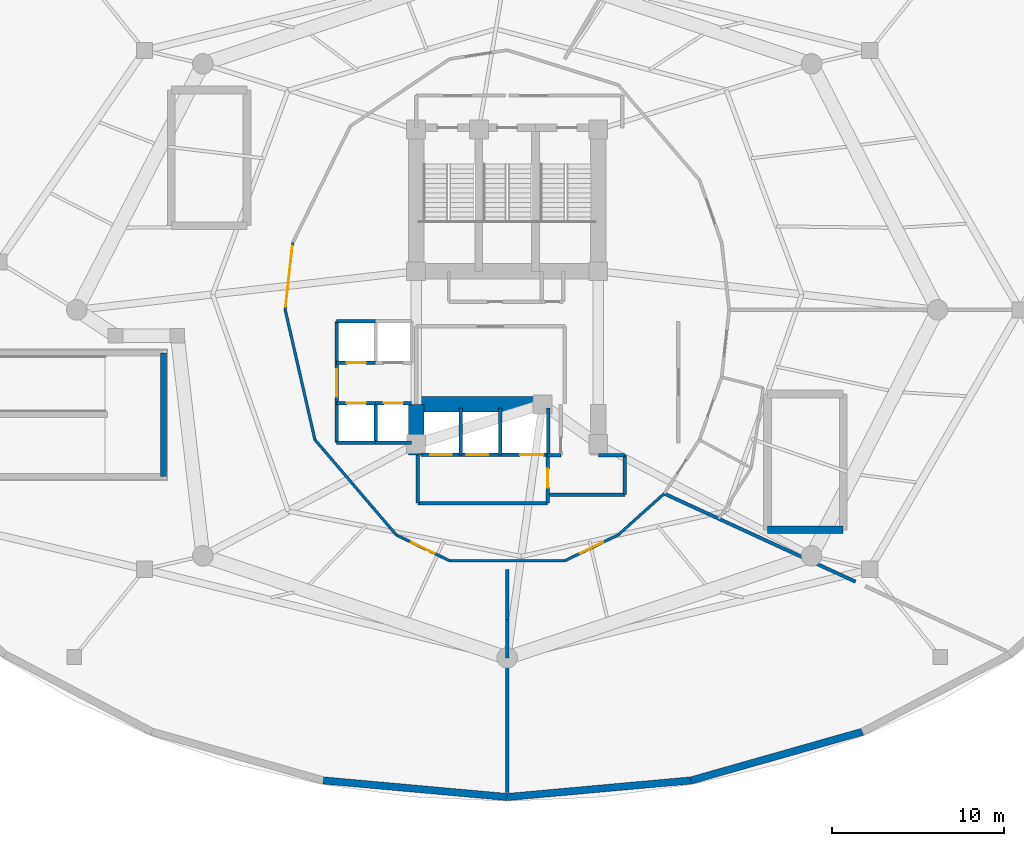
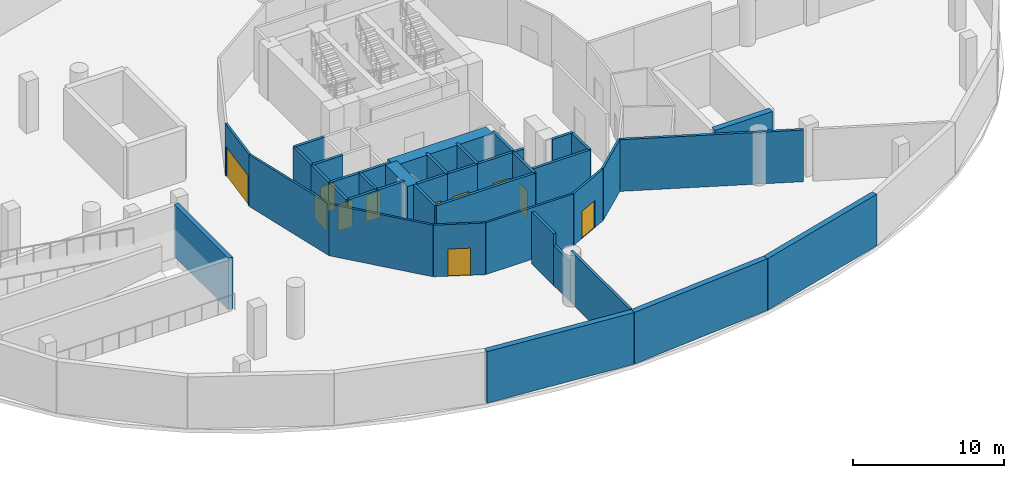
# One storey, part 3 of 8: 41 walls, 11 doors, 11 openings.
"""IFC4 building model written with IfcOpenShell, lengths in metres."""

import ifcopenshell
import ifcopenshell.guid

model = None  # the IFC model being written
_history = None  # IfcOwnerHistory: only IFC2X3 demands one
_inside = {}  # id of a spatial element -> (the spatial element, [elements in it])
_under = {}  # id of a project, library or spatial element -> (it, [spatial elements below it])
_declared = {}  # id of a project -> (the project, [libraries it declares])
_typed = {}  # id of a type object -> (the type object, [elements of that type])
_made_of = {}  # id of a material, layer set ... -> (it, [elements and type objects made of it])


def new_model(schema):
    """Start an empty IFC model of exactly this schema.

    Asked for "IFC4X3", IfcOpenShell would pick the latest addendum, in which some entities
    have other attributes; the version numbers below select the first issue.
    IFC2X3 requires an IfcOwnerHistory on every rooted entity: one is made here for all.
    """
    global model, _history
    if schema == "IFC4X3":
        model = ifcopenshell.file(schema_version=(4, 3, 0, 0))
    else:
        model = ifcopenshell.file(schema=schema)
    _inside.clear()
    _under.clear()
    _declared.clear()
    _typed.clear()
    _made_of.clear()
    _history = None
    if model.schema == "IFC2X3":
        org = make("IfcOrganization", Name="unknown")
        user = make(
            "IfcPersonAndOrganization",
            ThePerson=make("IfcPerson", FamilyName="unknown"),
            TheOrganization=org,
        )
        app = make(
            "IfcApplication",
            ApplicationDeveloper=org,
            Version="unknown",
            ApplicationFullName="unknown",
            ApplicationIdentifier="unknown",
        )
        _history = make(
            "IfcOwnerHistory",
            OwningUser=user,
            OwningApplication=app,
            ChangeAction="ADDED",
            CreationDate=0,
        )
    return model


def make(cls, **values):
    """One entity of the class cls with the attributes given. An attribute that is None is left unset."""
    return model.create_entity(
        cls, **{name: value for name, value in values.items() if value is not None}
    )


def rooted(cls, **values):
    """An entity with a GlobalId (a new one), such as an element, a storey or a relation."""
    return make(cls, GlobalId=ifcopenshell.guid.new(), OwnerHistory=_history, **values)


def si_unit(unit_type, name, prefix=None):
    """IfcSIUnit, for example si_unit("LENGTHUNIT", "METRE", prefix="MILLI")."""
    return make("IfcSIUnit", UnitType=unit_type, Prefix=prefix, Name=name)


def assignment(units):
    """IfcUnitAssignment: the units of a project."""
    return None if units is None else make("IfcUnitAssignment", Units=units)


def point(xyz):
    """IfcCartesianPoint."""
    return None if xyz is None else make("IfcCartesianPoint", Coordinates=xyz)


def direction(xyz):
    """IfcDirection."""
    return None if xyz is None else make("IfcDirection", DirectionRatios=xyz)


def frame(location, z_axis=None, x_axis=None):
    """IfcAxis2Placement3D, a coordinate frame: its origin and axes. An axis left out is left unset."""
    return make(
        "IfcAxis2Placement3D",
        Location=point(location),
        Axis=direction(z_axis),
        RefDirection=direction(x_axis),
    )


def frame_2d(location, x_axis=None):
    """IfcAxis2Placement2D, a coordinate frame in the plane: its origin and x axis."""
    return make(
        "IfcAxis2Placement2D", Location=point(location), RefDirection=direction(x_axis)
    )


def origin():
    """The frame at (0, 0, 0) with its axes left unset."""
    return frame((0.0, 0.0, 0.0))


def place(relative_to, where):
    """IfcLocalPlacement: puts the frame where relative to a parent placement (None: the world)."""
    return make(
        "IfcLocalPlacement", PlacementRelTo=relative_to, RelativePlacement=where
    )


def context(
    kind, dimensions, precision=None, world=None, true_north=None, identifier=None
):
    """IfcGeometricRepresentationContext, for example the 3D "Model" context."""
    return make(
        "IfcGeometricRepresentationContext",
        ContextIdentifier=identifier,
        ContextType=kind,
        CoordinateSpaceDimension=dimensions,
        Precision=precision,
        WorldCoordinateSystem=world,
        TrueNorth=true_north,
    )


def subcontext(parent, identifier, kind, view, scale=None):
    """IfcGeometricRepresentationSubContext, for example "Body" below "Model"."""
    return make(
        "IfcGeometricRepresentationSubContext",
        ContextIdentifier=identifier,
        ContextType=kind,
        ParentContext=parent,
        TargetScale=scale,
        TargetView=view,
    )


def project(units=None, contexts=None):
    """IfcProject with its units and contexts."""
    return rooted(
        "IfcProject",
        Name="project",
        RepresentationContexts=contexts,
        UnitsInContext=assignment(units),
    )


def spatial(cls, under=None, at=None, **own):
    """A site, building, storey or space (cls), placed at a placement, below another one or the project."""
    s = rooted(cls, ObjectPlacement=at, **own)
    if under is not None:
        _under.setdefault(under.id(), (under, []))[1].append(s)
    return s


def profile(cls, at=None, kind="AREA", **sizes):
    """A parametric profile (cls). Its sizes go by their IFC names, for example OverallWidth=200.0."""
    return make(cls, ProfileType=kind, Position=at, **sizes)


def rectangle(**sizes):
    """IfcRectangleProfileDef."""
    return profile("IfcRectangleProfileDef", **sizes)


def extrude(swept, where, along, depth):
    """IfcExtrudedAreaSolid: the profile swept, set in the frame where, extruded along a direction by depth."""
    return make(
        "IfcExtrudedAreaSolid",
        SweptArea=swept,
        Position=where,
        ExtrudedDirection=direction(along),
        Depth=depth,
    )


def shape(context_of_items, identifier, shape_type, items):
    """IfcShapeRepresentation: the items that make up one representation, for example the "Body"."""
    return make(
        "IfcShapeRepresentation",
        ContextOfItems=context_of_items,
        RepresentationIdentifier=identifier,
        RepresentationType=shape_type,
        Items=items,
    )


def material(Name=None, Category=None):
    """IfcMaterial."""
    return make("IfcMaterial", Name=Name, Category=Category)


def layer(
    of_material, thickness, ventilated=None, Name=None, Category=None, Priority=None
):
    """IfcMaterialLayer: one layer of a wall or slab, of a material (None: an air gap)."""
    return make(
        "IfcMaterialLayer",
        Material=of_material,
        LayerThickness=thickness,
        IsVentilated=ventilated,
        Name=Name,
        Category=Category,
        Priority=Priority,
    )


def layer_set(layers, Name=None):
    """IfcMaterialLayerSet."""
    return make("IfcMaterialLayerSet", MaterialLayers=layers, LayerSetName=Name)


def made_of(thing, what):
    """Note that an element or type object is made of a material, layer set ...; save() writes the relation."""
    if what is not None:
        _made_of.setdefault(what.id(), (what, []))[1].append(thing)
    return thing


def type_object(cls, material=None, **own):
    """A type object (cls), such as IfcWallType, which elements share."""
    return made_of(rooted(cls, **own), material)


def element(
    cls,
    number,
    at=None,
    inside=None,
    cuts=None,
    type_object=None,
    material=None,
    context=None,
    identifier="Body",
    shape_type=None,
    held_by="IfcProductDefinitionShape",
    body=None,
    shapes=None,
    **own,
):
    """One element of the class cls, such as IfcWall. Its Tag is "e" and its number.

    at: its placement. inside: the storey or other place that contains it. cuts: it is an
    opening in that element (IfcRelVoidsElement). A single representation is given by context,
    identifier, shape_type and body (its items); several are given by shapes. held_by: the class
    of the entity that holds the representations. save() writes the other relations.
    """
    e = rooted(cls, Tag="e%d" % number, ObjectPlacement=at, **own)
    if body is not None:
        shapes = [shape(context, identifier, shape_type, body)]
    if shapes is not None:
        e.Representation = make(held_by, Representations=shapes)
    if inside is not None:
        _inside.setdefault(inside.id(), (inside, []))[1].append(e)
    if cuts is not None:
        rooted(
            "IfcRelVoidsElement", RelatingBuildingElement=cuts, RelatedOpeningElement=e
        )
    if type_object is not None:
        _typed.setdefault(type_object.id(), (type_object, []))[1].append(e)
    return made_of(e, material)


def fill(opening, filler):
    """IfcRelFillsElement: the door or window that sits in an opening."""
    return rooted(
        "IfcRelFillsElement",
        RelatingOpeningElement=opening,
        RelatedBuildingElement=filler,
    )


def aggregate(whole, parts):
    """IfcRelAggregates: a whole, such as a stair, and the parts it consists of."""
    return rooted("IfcRelAggregates", RelatingObject=whole, RelatedObjects=parts)


def save(model, path):
    """Write the relations noted so far, then the file.

    IfcRelAggregates (storeys below a building ...), IfcRelContainedInSpatialStructure (elements
    in a storey), IfcRelDefinesByType, IfcRelAssociatesMaterial and IfcRelDeclares: one each for
    every whole, place, type object, material and project.
    """
    for whole, parts in _under.values():
        aggregate(whole, parts)
    for where, things in _inside.values():
        rooted(
            "IfcRelContainedInSpatialStructure",
            RelatedElements=things,
            RelatingStructure=where,
        )
    for kind, things in _typed.values():
        rooted("IfcRelDefinesByType", RelatedObjects=things, RelatingType=kind)
    for what, things in _made_of.values():
        rooted("IfcRelAssociatesMaterial", RelatedObjects=things, RelatingMaterial=what)
    for by, libraries in _declared.values():
        rooted("IfcRelDeclares", RelatingContext=by, RelatedDefinitions=libraries)
    model.write(path)


model = new_model("IFC4")

# Units and contexts
model_context = context("Model", 3, precision=1e-05, world=origin(), true_north=direction((0.0, 1.0)))
body_context = subcontext(model_context, "Body", "Model", "MODEL_VIEW")
ifc_project = project(units=[si_unit("LENGTHUNIT", "METRE"), si_unit("AREAUNIT", "SQUARE_METRE"), si_unit("VOLUMEUNIT", "CUBIC_METRE"), si_unit("PLANEANGLEUNIT", "RADIAN"), si_unit("MASSUNIT", "GRAM", prefix="KILO")], contexts=[model_context])

# Site, building, storey
site_placement = place(None, origin())
site = spatial("IfcSite", under=ifc_project, at=site_placement, CompositionType="ELEMENT")
building_placement = place(site_placement, origin())
building = spatial("IfcBuilding", under=site, at=building_placement, Name="Nuhasar Tower", CompositionType="ELEMENT")
storey_placement = place(building_placement, frame((0.0, 0.0, -4.5)))
storey = spatial("IfcBuildingStorey", under=building, at=storey_placement, Name="B1", CompositionType="ELEMENT", Elevation=-4.5)

# Walls
ifc_material_1 = material(Name="Concrete C50/60", Category="concrete")
ifc_layer_1 = layer(ifc_material_1, 0.449951171875)
ifc_layer_set_1 = layer_set([ifc_layer_1], Name="Concrete C50/60")
wall_type_1 = type_object("IfcWallType", Name="WL-CORE-450", PredefinedType="SHEAR", material=ifc_layer_set_1)
wall_1_placement = place(storey_placement, frame((54.14990234375, 14.0, 0.0), z_axis=(0.0, 0.0, 1.0), x_axis=(1.0, 0.0, 0.0)))
element("IfcWall", 1, at=wall_1_placement, inside=storey, type_object=wall_type_1, Name="B1 Stairwell Shear Wall ST-05-S", PredefinedType="SHEAR", context=body_context, shape_type="SweptSolid", body=[
    extrude(rectangle(XDim=4.400146484375, YDim=0.449951171875, at=frame_2d((2.2001953125, 0.0))), origin(), (0.0, 0.0, 1.0), 4.179931640625),
])
ifc_material_2 = material(Name="Concrete C80/95", Category="concrete")
ifc_layer_2 = layer(ifc_material_2, 0.89990234375)
ifc_layer_set_2 = layer_set([ifc_layer_2], Name="Concrete C80/95")
wall_type_2 = type_object("IfcWallType", Name="WL-CORE-900", PredefinedType="SHEAR", material=ifc_layer_set_2)
wall_2_placement = place(storey_placement, frame((33.699951171875, 18.35009765625, 0.0), z_axis=(0.0, 0.0, 1.0), x_axis=(0.0, 1.0, 0.0)))
element("IfcWall", 2, at=wall_2_placement, inside=storey, type_object=wall_type_2, Name="B1 Core Shear Wall CW-SW CW-900", PredefinedType="SHEAR", context=body_context, shape_type="SweptSolid", body=[
    extrude(rectangle(XDim=2.949951171875, YDim=0.89990234375, at=frame_2d((1.47509765625, 0.0))), origin(), (0.0, 0.0, 1.0), 4.179931640625),
])
wall_3_placement = place(storey_placement, frame((33.699951171875, 21.300048828125, 0.0), z_axis=(0.0, 0.0, 1.0), x_axis=(1.0, 0.0, 0.0)))
element("IfcWall", 3, at=wall_3_placement, inside=storey, type_object=wall_type_2, Name="B1 Core Shear Wall CW-S1 CW-900", PredefinedType="SHEAR", context=body_context, shape_type="SweptSolid", body=[
    extrude(rectangle(XDim=7.550048828125, YDim=0.89990234375, at=frame_2d((3.77490234375, 0.0))), origin(), (0.0, 0.0, 1.0), 4.179931640625),
])

# Wall, opening, door
ifc_material_3 = material(Name="Gypsum Board", Category="gypsum")
ifc_layer_3 = layer(ifc_material_3, 0.159912109375)
ifc_layer_set_3 = layer_set([ifc_layer_3], Name="Gypsum Board")
wall_type_3 = type_object("IfcWallType", Name="WL-CORR-160", PredefinedType="PARTITIONING", material=ifc_layer_set_3)
wall_4_placement = place(storey_placement, frame((26.52001953125, 30.712890625, 0.0), z_axis=(0.0, 0.0, 1.0), x_axis=(-0.111731247657, -0.993738460711, 0.0)))
wall_4 = element("IfcWall", 4, at=wall_4_placement, inside=storey, type_object=wall_type_3, Name="B1 Interior Partition CORR-22", PredefinedType="PARTITIONING", context=body_context, shape_type="SweptSolid", body=[
    extrude(rectangle(XDim=3.9375, YDim=0.159912109375, at=frame_2d((1.96875, 0.0))), origin(), (0.0, 0.0, 1.0), 4.179931640625),
])
opening_1_placement = place(wall_4_placement, frame((0.1689453125, 0.0, 0.0)))
opening_1 = element("IfcOpeningElement", 5, at=opening_1_placement, cuts=wall_4, Name="Opening DG-01", PredefinedType="OPENING", context=body_context, shape_type="SweptSolid", body=[
    extrude(rectangle(XDim=3.60009765625, YDim=2.39990234375, at=frame_2d((1.800048828125, 1.199951171875))), frame((0.0, 0.08984375, 0.0), z_axis=(0.0, -1.0, 0.0), x_axis=(1.0, 0.0, 0.0)), (0.0, 0.0, 1.0), 0.179931640625),
])
ifc_material_4 = material(Name="Steel S355", Category="steel")
door_type_1 = type_object("IfcDoorType", Name="DR-VEH-GATE-3600", OperationType="ROLLINGUP", PredefinedType="GATE", material=ifc_material_4)
door_1_placement = place(opening_1_placement, origin())
door_1 = element("IfcDoor", 6, at=door_1_placement, inside=storey, type_object=door_type_1, Name="B1 West Ramp Vestibule Shutter", OperationType="ROLLINGUP", OverallHeight=2.39990234375, OverallWidth=3.60009765625, PredefinedType="GATE", context=body_context, shape_type="SweptSolid", body=[
    extrude(rectangle(XDim=3.60009765625, YDim=2.39990234375, at=frame_2d((1.800048828125, 1.199951171875))), frame((0.0, 0.02490234375, 0.0), z_axis=(0.0, -1.0, 0.0), x_axis=(1.0, 0.0, 0.0)), (0.0, 0.0, 1.0), 0.050048828125),
])
fill(opening_1, door_1)

# Walls
wall_5_placement = place(storey_placement, frame((26.080078125, 26.800048828125, 0.0), z_axis=(0.0, 0.0, 1.0), x_axis=(0.223185487206, -0.974775993909, 0.0)))
element("IfcWall", 7, at=wall_5_placement, inside=storey, type_object=wall_type_3, Name="B1 Interior Partition CORR-24", PredefinedType="PARTITIONING", context=body_context, shape_type="SweptSolid", body=[
    extrude(rectangle(XDim=7.755615234375, YDim=0.159912109375, at=frame_2d((3.8779296875, 0.0))), origin(), (0.0, 0.0, 1.0), 4.179931640625),
])
wall_6_placement = place(storey_placement, frame((27.81103515625, 19.239990234375, 0.0), z_axis=(0.0, 0.0, 1.0), x_axis=(0.649652680018, -0.760231145998, 0.0)))
element("IfcWall", 8, at=wall_6_placement, inside=storey, type_object=wall_type_3, Name="B1 Interior Partition CORR-28", PredefinedType="PARTITIONING", context=body_context, shape_type="SweptSolid", body=[
    extrude(rectangle(XDim=7.279296875, YDim=0.159912109375, at=frame_2d((3.6396484375, 0.0))), origin(), (0.0, 0.0, 1.0), 4.179931640625),
])

# Wall, opening, door
wall_7_placement = place(storey_placement, frame((35.656005859375, 12.195068359375, 0.0), z_axis=(0.0, 0.0, 1.0), x_axis=(-0.899789784655, 0.436323668199, 0.0)))
wall_7 = element("IfcWall", 9, at=wall_7_placement, inside=storey, type_object=wall_type_3, Name="B1 Interior Partition CORR-32", PredefinedType="PARTITIONING", context=body_context, shape_type="SweptSolid", body=[
    extrude(rectangle(XDim=3.462890625, YDim=0.159912109375, at=frame_2d((1.7314453125, 0.0))), origin(), (0.0, 0.0, 1.0), 4.179931640625),
])
opening_2_placement = place(wall_7_placement, frame((0.98193359375, 0.0, 0.0)))
opening_2 = element("IfcOpeningElement", 10, at=opening_2_placement, cuts=wall_7, Name="Opening DP-01", PredefinedType="OPENING", context=body_context, shape_type="SweptSolid", body=[
    extrude(rectangle(XDim=1.5, YDim=2.199951171875, at=frame_2d((0.75, 1.10009765625))), frame((0.0, 0.08984375, 0.0), z_axis=(0.0, -1.0, 0.0), x_axis=(1.0, 0.0, 0.0)), (0.0, 0.0, 1.0), 0.179931640625),
])
door_type_2 = type_object("IfcDoorType", Name="DR-PLANT-FD120-1500", OperationType="DOUBLE_DOOR_SINGLE_SWING", PredefinedType="DOOR", material=ifc_material_4)
door_2_placement = place(opening_2_placement, origin())
door_2 = element("IfcDoor", 11, at=door_2_placement, inside=storey, type_object=door_type_2, Name="B1 South Substation & Tank Door", OperationType="DOUBLE_DOOR_SINGLE_SWING", OverallHeight=2.199951171875, OverallWidth=1.5, PredefinedType="DOOR", context=body_context, shape_type="SweptSolid", body=[
    extrude(rectangle(XDim=1.5, YDim=2.199951171875, at=frame_2d((0.75, 1.10009765625))), frame((0.0, 0.02490234375, 0.0), z_axis=(0.0, -1.0, 0.0), x_axis=(1.0, 0.0, 0.0)), (0.0, 0.0, 1.0), 0.050048828125),
])
fill(opening_2, door_2)

# Wall
wall_8_placement = place(storey_placement, frame((35.656005859375, 12.195068359375, 0.0), z_axis=(0.0, 0.0, 1.0), x_axis=(1.0, 0.0, 0.0)))
element("IfcWall", 12, at=wall_8_placement, inside=storey, type_object=wall_type_3, Name="B1 Interior Partition CORR-34", PredefinedType="PARTITIONING", context=body_context, shape_type="SweptSolid", body=[
    extrude(rectangle(XDim=6.68798828125, YDim=0.159912109375, at=frame_2d((3.343994140625, 0.0))), origin(), (0.0, 0.0, 1.0), 4.179931640625),
])

# Wall, opening, door
wall_9_placement = place(storey_placement, frame((45.4599609375, 13.7060546875, 0.0), z_axis=(0.0, 0.0, 1.0), x_axis=(-0.899789784655, -0.436323668199, 0.0)))
wall_9 = element("IfcWall", 13, at=wall_9_placement, inside=storey, type_object=wall_type_3, Name="B1 Interior Partition CORR-38", PredefinedType="PARTITIONING", context=body_context, shape_type="SweptSolid", body=[
    extrude(rectangle(XDim=3.462890625, YDim=0.159912109375, at=frame_2d((1.7314453125, 0.0))), origin(), (0.0, 0.0, 1.0), 4.179931640625),
])
opening_3_placement = place(wall_9_placement, frame((0.98193359375, 0.0, 0.0)))
opening_3 = element("IfcOpeningElement", 14, at=opening_3_placement, cuts=wall_9, Name="Opening DP-01", PredefinedType="OPENING", context=body_context, shape_type="SweptSolid", body=[
    extrude(rectangle(XDim=1.5, YDim=2.199951171875, at=frame_2d((0.75, 1.10009765625))), frame((0.0, 0.08984375, 0.0), z_axis=(0.0, -1.0, 0.0), x_axis=(1.0, 0.0, 0.0)), (0.0, 0.0, 1.0), 0.179931640625),
])
door_3_placement = place(opening_3_placement, origin())
door_3 = element("IfcDoor", 15, at=door_3_placement, inside=storey, type_object=door_type_2, Name="B1 South-East Plant Hall Door", OperationType="DOUBLE_DOOR_SINGLE_SWING", OverallHeight=2.199951171875, OverallWidth=1.5, PredefinedType="DOOR", context=body_context, shape_type="SweptSolid", body=[
    extrude(rectangle(XDim=1.5, YDim=2.199951171875, at=frame_2d((0.75, 1.10009765625))), frame((0.0, 0.02490234375, 0.0), z_axis=(0.0, -1.0, 0.0), x_axis=(1.0, 0.0, 0.0)), (0.0, 0.0, 1.0), 0.050048828125),
])
fill(opening_3, door_3)

# Walls
wall_10_placement = place(storey_placement, frame((45.4599609375, 13.7060546875, 0.0), z_axis=(0.0, 0.0, 1.0), x_axis=(0.744066617248, 0.668105432621, 0.0)))
element("IfcWall", 16, at=wall_10_placement, inside=storey, type_object=wall_type_3, Name="B1 Interior Partition CORR-40", PredefinedType="PARTITIONING", context=body_context, shape_type="SweptSolid", body=[
    extrude(rectangle(XDim=3.596435546875, YDim=0.159912109375, at=frame_2d((1.79833984375, 0.0))), origin(), (0.0, 0.0, 1.0), 4.179931640625),
])
ifc_layer_4 = layer(ifc_material_1, 0.419921875)
ifc_layer_set_4 = layer_set([ifc_layer_4], Name="Concrete C50/60")
wall_type_4 = type_object("IfcWallType", Name="WL-DIAPH-420", PredefinedType="SHEAR", material=ifc_layer_set_4)
for number, where, z_axis, x_axis, name in (
    (17, (28.298095703125, -0.583984375, 0.0), (0.0, 0.0, 1.0), (0.995950366385, -0.089904770156, 0.0), "B1 Perimeter Diaphragm Retaining Wall 18 DW-420"),
    (18, (39.0, -1.550048828125, 0.0), (0.0, 0.0, 1.0), (0.995950366385, 0.089904770156, 0.0), "B1 Perimeter Diaphragm Retaining Wall 19 DW-420"),
):
    element("IfcWall", number, at=place(storey_placement, frame(where, z_axis=z_axis, x_axis=x_axis)), inside=storey, type_object=wall_type_4, Name=name, PredefinedType="SHEAR", context=body_context, shape_type="SweptSolid", body=[
        extrude(rectangle(XDim=10.745361328125, YDim=0.419921875, at=frame_2d((5.37255859375, 0.0))), origin(), (0.0, 0.0, 1.0), 4.179931640625),
    ])
wall_11_placement = place(storey_placement, frame((49.701904296875, -0.583984375, 0.0), z_axis=(0.0, 0.0, 1.0), x_axis=(0.961967006375, 0.273165661541, 0.0)))
element("IfcWall", 19, at=wall_11_placement, inside=storey, type_object=wall_type_4, Name="B1 Perimeter Diaphragm Retaining Wall 20 DW-420", PredefinedType="SHEAR", context=body_context, shape_type="SweptSolid", body=[
    extrude(rectangle(XDim=10.367431640625, YDim=0.419921875, at=frame_2d((5.18359375, 0.0))), origin(), (0.0, 0.0, 1.0), 4.179931640625),
])

# Wall, opening, door
ifc_material_5 = material(Name="Concrete C45/55", Category="concrete")
ifc_layer_5 = layer(ifc_material_5, 0.199951171875)
ifc_layer_set_5 = layer_set([ifc_layer_5], Name="Concrete C45/55")
wall_type_5 = type_object("IfcWallType", Name="WL-LOBBY-200", PredefinedType="SOLIDWALL", material=ifc_layer_set_5)
wall_12_placement = place(storey_placement, frame((29.070068359375, 21.3798828125, 0.0), z_axis=(0.0, 0.0, 1.0), x_axis=(0.0, 1.0, 0.0)))
wall_12 = element("IfcWall", 20, at=wall_12_placement, inside=storey, type_object=wall_type_5, Name="B1 Interior Partition LLBL-W", PredefinedType="SOLIDWALL", context=body_context, shape_type="SweptSolid", body=[
    extrude(rectangle(XDim=2.340087890625, YDim=0.199951171875, at=frame_2d((1.169921875, 0.0))), origin(), (0.0, 0.0, 1.0), 4.179931640625),
])
opening_4_placement = place(wall_12_placement, frame((0.3701171875, 0.0, 0.0)))
opening_4 = element("IfcOpeningElement", 21, at=opening_4_placement, cuts=wall_12, Name="Opening DC-01", PredefinedType="OPENING", context=body_context, shape_type="SweptSolid", body=[
    extrude(rectangle(XDim=1.60009765625, YDim=2.199951171875, at=frame_2d((0.800048828125, 1.10009765625))), frame((0.0, 0.10986328125, 0.0), z_axis=(0.0, -1.0, 0.0), x_axis=(1.0, 0.0, 0.0)), (0.0, 0.0, 1.0), 0.219970703125),
])
door_type_3 = type_object("IfcDoorType", Name="DR-CORR-FD60-1600", OperationType="DOUBLE_DOOR_SINGLE_SWING", PredefinedType="DOOR", material=ifc_material_4)
door_4_placement = place(opening_4_placement, origin())
door_4 = element("IfcDoor", 22, at=door_4_placement, inside=storey, type_object=door_type_3, Name="B1 Low-Rise Lift Lobby West Entry", OperationType="DOUBLE_DOOR_SINGLE_SWING", OverallHeight=2.199951171875, OverallWidth=1.60009765625, PredefinedType="DOOR", context=body_context, shape_type="SweptSolid", body=[
    extrude(rectangle(XDim=1.60009765625, YDim=2.199951171875, at=frame_2d((0.800048828125, 1.10009765625))), frame((0.0, 0.02490234375, 0.0), z_axis=(0.0, -1.0, 0.0), x_axis=(1.0, 0.0, 0.0)), (0.0, 0.0, 1.0), 0.050048828125),
])
fill(opening_4, door_4)

# Walls
wall_13_placement = place(storey_placement, frame((33.800048828125, 15.550048828125, 0.0), z_axis=(0.0, 0.0, 1.0), x_axis=(1.0, 0.0, 0.0)))
element("IfcWall", 23, at=wall_13_placement, inside=storey, type_object=wall_type_5, Name="B1 Interior Partition FFL-S", PredefinedType="SOLIDWALL", context=body_context, shape_type="SweptSolid", body=[
    extrude(rectangle(XDim=7.550048828125, YDim=0.199951171875, at=frame_2d((3.77490234375, 0.0))), origin(), (0.0, 0.0, 1.0), 4.179931640625),
])
wall_14_placement = place(storey_placement, frame((33.800048828125, 15.550048828125, 0.0), z_axis=(0.0, 0.0, 1.0), x_axis=(0.0, 1.0, 0.0)))
element("IfcWall", 24, at=wall_14_placement, inside=storey, type_object=wall_type_5, Name="B1 Interior Partition FFL-W", PredefinedType="SOLIDWALL", context=body_context, shape_type="SweptSolid", body=[
    extrude(rectangle(XDim=2.800048828125, YDim=0.199951171875, at=frame_2d((1.39990234375, 0.0))), origin(), (0.0, 0.0, 1.0), 4.179931640625),
])

# Wall, opening, door
wall_15_placement = place(storey_placement, frame((41.35009765625, 15.550048828125, 0.0), z_axis=(0.0, 0.0, 1.0), x_axis=(0.0, 1.0, 0.0)))
wall_15 = element("IfcWall", 25, at=wall_15_placement, inside=storey, type_object=wall_type_5, Name="B1 Interior Partition FFL-E", PredefinedType="SOLIDWALL", context=body_context, shape_type="SweptSolid", body=[
    extrude(rectangle(XDim=2.800048828125, YDim=0.199951171875, at=frame_2d((1.39990234375, 0.0))), origin(), (0.0, 0.0, 1.0), 4.179931640625),
])
opening_5_placement = place(wall_15_placement, frame((0.89990234375, 0.0, 0.0)))
opening_5 = element("IfcOpeningElement", 26, at=opening_5_placement, cuts=wall_15, Name="Opening DS-02", PredefinedType="OPENING", context=body_context, shape_type="SweptSolid", body=[
    extrude(rectangle(XDim=1.10009765625, YDim=2.14990234375, at=frame_2d((0.550048828125, 1.074951171875))), frame((0.0, 0.10986328125, 0.0), z_axis=(0.0, -1.0, 0.0), x_axis=(1.0, 0.0, 0.0)), (0.0, 0.0, 1.0), 0.219970703125),
])
door_type_4 = type_object("IfcDoorType", Name="DR-FFL-FD120-1100", OperationType="NOTDEFINED", PredefinedType="DOOR", material=ifc_material_4)
door_5_placement = place(opening_5_placement, origin())
door_5 = element("IfcDoor", 27, at=door_5_placement, inside=storey, type_object=door_type_4, Name="B1 Firefighting Lobby Door", OperationType="SINGLE_SWING_RIGHT", OverallHeight=2.14990234375, OverallWidth=1.10009765625, PredefinedType="DOOR", context=body_context, shape_type="SweptSolid", body=[
    extrude(rectangle(XDim=1.10009765625, YDim=2.14990234375, at=frame_2d((0.550048828125, 1.074951171875))), frame((0.0, 0.02490234375, 0.0), z_axis=(0.0, -1.0, 0.0), x_axis=(1.0, 0.0, 0.0)), (0.0, 0.0, 1.0), 0.050048828125),
])
fill(opening_5, door_5)

# Walls
wall_16_placement = place(storey_placement, frame((41.35009765625, 16.050048828125, 0.0), z_axis=(0.0, 0.0, 1.0), x_axis=(1.0, 0.0, 0.0)))
element("IfcWall", 28, at=wall_16_placement, inside=storey, type_object=wall_type_5, Name="B1 Interior Partition SVLV-S", PredefinedType="SOLIDWALL", context=body_context, shape_type="SweptSolid", body=[
    extrude(rectangle(XDim=4.5, YDim=0.199951171875, at=frame_2d((2.25, 0.0))), origin(), (0.0, 0.0, 1.0), 4.179931640625),
])
wall_17_placement = place(storey_placement, frame((45.85009765625, 16.050048828125, 0.0), z_axis=(0.0, 0.0, 1.0), x_axis=(0.0, 1.0, 0.0)))
element("IfcWall", 29, at=wall_17_placement, inside=storey, type_object=wall_type_5, Name="B1 Interior Partition SVLV-E", PredefinedType="SOLIDWALL", context=body_context, shape_type="SweptSolid", body=[
    extrude(rectangle(XDim=2.300048828125, YDim=0.199951171875, at=frame_2d((1.14990234375, 0.0))), origin(), (0.0, 0.0, 1.0), 4.179931640625),
])
wall_18_placement = place(storey_placement, frame((44.300048828125, 18.35009765625, 0.0), z_axis=(0.0, 0.0, 1.0), x_axis=(1.0, 0.0, 0.0)))
element("IfcWall", 30, at=wall_18_placement, inside=storey, type_object=wall_type_5, Name="B1 Interior Partition SVLV-N", PredefinedType="SOLIDWALL", context=body_context, shape_type="SweptSolid", body=[
    extrude(rectangle(XDim=1.550048828125, YDim=0.199951171875, at=frame_2d((0.77490234375, 0.0))), origin(), (0.0, 0.0, 1.0), 4.179931640625),
])
wall_19_placement = place(storey_placement, frame((39.0, 11.679931640625, 0.0), z_axis=(0.0, 0.0, 1.0), x_axis=(0.0, -1.0, 0.0)))
element("IfcWall", 31, at=wall_19_placement, inside=storey, type_object=wall_type_5, Name="B1 Interior Partition BRAD-36", PredefinedType="SOLIDWALL", context=body_context, shape_type="SweptSolid", body=[
    extrude(rectangle(XDim=2.885009765625, YDim=0.199951171875, at=frame_2d((1.4423828125, 0.0))), origin(), (0.0, 0.0, 1.0), 4.179931640625),
])
wall_20_placement = place(storey_placement, frame((39.0, 8.794921875, 0.0), z_axis=(0.0, 0.0, 1.0), x_axis=(0.0, -1.0, 0.0)))
element("IfcWall", 32, at=wall_20_placement, inside=storey, type_object=wall_type_5, Name="B1 Interior Partition BRAD-36", PredefinedType="SOLIDWALL", context=body_context, shape_type="SweptSolid", body=[
    extrude(rectangle(XDim=2.259033203125, YDim=0.199951171875, at=frame_2d((1.12939453125, 0.0))), origin(), (0.0, 0.0, 1.0), 3.2451171875),
])
wall_21_placement = place(storey_placement, frame((39.0, 6.535888671875, 0.0), z_axis=(0.0, 0.0, 1.0), x_axis=(0.0, -1.0, 0.0)))
element("IfcWall", 33, at=wall_21_placement, inside=storey, type_object=wall_type_5, Name="B1 Interior Partition BRAD-36", PredefinedType="SOLIDWALL", context=body_context, shape_type="SweptSolid", body=[
    extrude(rectangle(XDim=7.82080078125, YDim=0.199951171875, at=frame_2d((3.910400390625, 0.0))), origin(), (0.0, 0.0, 1.0), 4.179931640625),
])
wall_22_placement = place(storey_placement, frame((48.135986328125, 16.10888671875, 0.0), z_axis=(0.0, 0.0, 1.0), x_axis=(0.908368089602, -0.418171512411, 0.0)))
element("IfcWall", 34, at=wall_22_placement, inside=storey, type_object=wall_type_5, Name="B1 Interior Partition BRAD-42-S1", PredefinedType="SOLIDWALL", context=body_context, shape_type="SweptSolid", body=[
    extrude(rectangle(XDim=12.260498046875, YDim=0.199951171875, at=frame_2d((6.13037109375, 0.0))), origin(), (0.0, 0.0, 1.0), 4.179931640625),
])
ifc_layer_6 = layer(ifc_material_1, 0.35009765625)
ifc_layer_set_6 = layer_set([ifc_layer_6], Name="Concrete C50/60")
wall_type_6 = type_object("IfcWallType", Name="WL-RAMP-350", PredefinedType="SHEAR", material=ifc_layer_set_6)
wall_23_placement = place(storey_placement, frame((19.0, 17.10009765625, 0.0), z_axis=(0.0, 0.0, 1.0), x_axis=(0.0, 1.0, 0.0)))
element("IfcWall", 35, at=wall_23_placement, inside=storey, type_object=wall_type_6, Name="B1 Ramp Support Shear Wall E", PredefinedType="SHEAR", context=body_context, shape_type="SweptSolid", body=[
    extrude(rectangle(XDim=7.199951171875, YDim=0.35009765625, at=frame_2d((3.60009765625, 0.0))), origin(), (0.0, 0.0, 1.0), 4.179931640625),
])

# Wall, opening, door
ifc_layer_7 = layer(ifc_material_5, 0.199951171875)
ifc_layer_set_7 = layer_set([ifc_layer_7], Name="Concrete C45/55")
wall_type_7 = type_object("IfcWallType", Name="WL-SHAFT-200", PredefinedType="SOLIDWALL", material=ifc_layer_set_7)
wall_24_placement = place(storey_placement, frame((29.070068359375, 23.719970703125, 0.0), z_axis=(0.0, 0.0, 1.0), x_axis=(1.0, 0.0, 0.0)))
wall_24 = element("IfcWall", 36, at=wall_24_placement, inside=storey, type_object=wall_type_7, Name="B1 Interior Partition SHF-PL-L01-S", PredefinedType="SOLIDWALL", context=body_context, shape_type="SweptSolid", body=[
    extrude(rectangle(XDim=2.309814453125, YDim=0.199951171875, at=frame_2d((1.15478515625, 0.0))), origin(), (0.0, 0.0, 1.0), 4.179931640625),
])
opening_6_placement = place(wall_24_placement, frame((0.60498046875, 0.0, 0.0)))
opening_6 = element("IfcOpeningElement", 37, at=opening_6_placement, cuts=wall_24, Name="Opening LD-L01", PredefinedType="OPENING", context=body_context, shape_type="SweptSolid", body=[
    extrude(rectangle(XDim=1.10009765625, YDim=2.14990234375, at=frame_2d((0.550048828125, 1.074951171875))), frame((0.0, 0.10986328125, 0.0), z_axis=(0.0, -1.0, 0.0), x_axis=(1.0, 0.0, 0.0)), (0.0, 0.0, 1.0), 0.219970703125),
])
ifc_material_6 = material(Name="Stainless Steel 316L", Category="steel")
door_type_5 = type_object("IfcDoorType", Name="LD-PAX-1100", OperationType="DOUBLE_DOOR_SLIDING", PredefinedType="DOOR", material=ifc_material_6)
door_6_placement = place(opening_6_placement, origin())
door_6 = element("IfcDoor", 38, at=door_6_placement, inside=storey, type_object=door_type_5, Name="B1 Lift Landing Door PL-L01", OperationType="DOUBLE_DOOR_SLIDING", OverallHeight=2.14990234375, OverallWidth=1.10009765625, PredefinedType="DOOR", context=body_context, shape_type="SweptSolid", body=[
    extrude(rectangle(XDim=1.10009765625, YDim=2.14990234375, at=frame_2d((0.550048828125, 1.074951171875))), frame((0.0, 0.02490234375, 0.0), z_axis=(0.0, -1.0, 0.0), x_axis=(1.0, 0.0, 0.0)), (0.0, 0.0, 1.0), 0.050048828125),
])
fill(opening_6, door_6)

# Walls
wall_25_placement = place(storey_placement, frame((29.070068359375, 26.1298828125, 0.0), z_axis=(0.0, 0.0, 1.0), x_axis=(1.0, 0.0, 0.0)))
element("IfcWall", 39, at=wall_25_placement, inside=storey, type_object=wall_type_7, Name="B1 Interior Partition SHF-PL-L01-N", PredefinedType="SOLIDWALL", context=body_context, shape_type="SweptSolid", body=[
    extrude(rectangle(XDim=2.309814453125, YDim=0.199951171875, at=frame_2d((1.15478515625, 0.0))), origin(), (0.0, 0.0, 1.0), 4.179931640625),
])
wall_26_placement = place(storey_placement, frame((29.070068359375, 23.719970703125, 0.0), z_axis=(0.0, 0.0, 1.0), x_axis=(0.0, 1.0, 0.0)))
element("IfcWall", 40, at=wall_26_placement, inside=storey, type_object=wall_type_7, Name="B1 Interior Partition SHF-PL-L01-W", PredefinedType="SOLIDWALL", context=body_context, shape_type="SweptSolid", body=[
    extrude(rectangle(XDim=2.409912109375, YDim=0.199951171875, at=frame_2d((1.205078125, 0.0))), origin(), (0.0, 0.0, 1.0), 4.179931640625),
])
wall_27_placement = place(storey_placement, frame((29.070068359375, 19.070068359375, 0.0), z_axis=(0.0, 0.0, 1.0), x_axis=(1.0, 0.0, 0.0)))
element("IfcWall", 41, at=wall_27_placement, inside=storey, type_object=wall_type_7, Name="B1 Interior Partition SHF-PL-L03-S", PredefinedType="SOLIDWALL", context=body_context, shape_type="SweptSolid", body=[
    extrude(rectangle(XDim=2.309814453125, YDim=0.199951171875, at=frame_2d((1.15478515625, 0.0))), origin(), (0.0, 0.0, 1.0), 4.179931640625),
])

# Wall, opening, door
wall_28_placement = place(storey_placement, frame((29.070068359375, 21.3798828125, 0.0), z_axis=(0.0, 0.0, 1.0), x_axis=(1.0, 0.0, 0.0)))
wall_28 = element("IfcWall", 42, at=wall_28_placement, inside=storey, type_object=wall_type_7, Name="B1 Interior Partition SHF-PL-L03-N", PredefinedType="SOLIDWALL", context=body_context, shape_type="SweptSolid", body=[
    extrude(rectangle(XDim=2.309814453125, YDim=0.199951171875, at=frame_2d((1.15478515625, 0.0))), origin(), (0.0, 0.0, 1.0), 4.179931640625),
])
opening_7_placement = place(wall_28_placement, frame((0.60498046875, 0.0, 0.0)))
opening_7 = element("IfcOpeningElement", 43, at=opening_7_placement, cuts=wall_28, Name="Opening LD-L03", PredefinedType="OPENING", context=body_context, shape_type="SweptSolid", body=[
    extrude(rectangle(XDim=1.10009765625, YDim=2.14990234375, at=frame_2d((0.550048828125, 1.074951171875))), frame((0.0, 0.10986328125, 0.0), z_axis=(0.0, -1.0, 0.0), x_axis=(1.0, 0.0, 0.0)), (0.0, 0.0, 1.0), 0.219970703125),
])
door_7_placement = place(opening_7_placement, origin())
door_7 = element("IfcDoor", 44, at=door_7_placement, inside=storey, type_object=door_type_5, Name="B1 Lift Landing Door PL-L03", OperationType="DOUBLE_DOOR_SLIDING", OverallHeight=2.14990234375, OverallWidth=1.10009765625, PredefinedType="DOOR", context=body_context, shape_type="SweptSolid", body=[
    extrude(rectangle(XDim=1.10009765625, YDim=2.14990234375, at=frame_2d((0.550048828125, 1.074951171875))), frame((0.0, 0.02490234375, 0.0), z_axis=(0.0, -1.0, 0.0), x_axis=(1.0, 0.0, 0.0)), (0.0, 0.0, 1.0), 0.050048828125),
])
fill(opening_7, door_7)

# Walls
for number, where, z_axis, x_axis, name in (
    (45, (29.070068359375, 19.070068359375, 0.0), (0.0, 0.0, 1.0), (0.0, 1.0, 0.0), "B1 Interior Partition SHF-PL-L03-W"),
    (46, (31.35009765625, 19.070068359375, 0.0), (0.0, 0.0, 1.0), (0.0, 1.0, 0.0), "B1 Interior Partition SHF-PL-L03-E"),
):
    element("IfcWall", number, at=place(storey_placement, frame(where, z_axis=z_axis, x_axis=x_axis)), inside=storey, type_object=wall_type_7, Name=name, PredefinedType="SOLIDWALL", context=body_context, shape_type="SweptSolid", body=[
        extrude(rectangle(XDim=2.309814453125, YDim=0.199951171875, at=frame_2d((1.15478515625, 0.0))), origin(), (0.0, 0.0, 1.0), 4.179931640625),
    ])
wall_29_placement = place(storey_placement, frame((31.320068359375, 19.070068359375, 0.0), z_axis=(0.0, 0.0, 1.0), x_axis=(1.0, 0.0, 0.0)))
element("IfcWall", 47, at=wall_29_placement, inside=storey, type_object=wall_type_7, Name="B1 Interior Partition SHF-PL-L04-S", PredefinedType="SOLIDWALL", context=body_context, shape_type="SweptSolid", body=[
    extrude(rectangle(XDim=2.10986328125, YDim=0.199951171875, at=frame_2d((1.054931640625, 0.0))), origin(), (0.0, 0.0, 1.0), 4.179931640625),
])

# Wall, opening, door
wall_30_placement = place(storey_placement, frame((31.320068359375, 21.3798828125, 0.0), z_axis=(0.0, 0.0, 1.0), x_axis=(1.0, 0.0, 0.0)))
wall_30 = element("IfcWall", 48, at=wall_30_placement, inside=storey, type_object=wall_type_7, Name="B1 Interior Partition SHF-PL-L04-N", PredefinedType="SOLIDWALL", context=body_context, shape_type="SweptSolid", body=[
    extrude(rectangle(XDim=2.10986328125, YDim=0.199951171875, at=frame_2d((1.054931640625, 0.0))), origin(), (0.0, 0.0, 1.0), 4.179931640625),
])
opening_8_placement = place(wall_30_placement, frame((0.5048828125, 0.0, 0.0)))
opening_8 = element("IfcOpeningElement", 49, at=opening_8_placement, cuts=wall_30, Name="Opening LD-L04", PredefinedType="OPENING", context=body_context, shape_type="SweptSolid", body=[
    extrude(rectangle(XDim=1.10009765625, YDim=2.14990234375, at=frame_2d((0.550048828125, 1.074951171875))), frame((0.0, 0.10986328125, 0.0), z_axis=(0.0, -1.0, 0.0), x_axis=(1.0, 0.0, 0.0)), (0.0, 0.0, 1.0), 0.219970703125),
])
door_8_placement = place(opening_8_placement, origin())
door_8 = element("IfcDoor", 50, at=door_8_placement, inside=storey, type_object=door_type_5, Name="B1 Lift Landing Door PL-L04", OperationType="DOUBLE_DOOR_SLIDING", OverallHeight=2.14990234375, OverallWidth=1.10009765625, PredefinedType="DOOR", context=body_context, shape_type="SweptSolid", body=[
    extrude(rectangle(XDim=1.10009765625, YDim=2.14990234375, at=frame_2d((0.550048828125, 1.074951171875))), frame((0.0, 0.02490234375, 0.0), z_axis=(0.0, -1.0, 0.0), x_axis=(1.0, 0.0, 0.0)), (0.0, 0.0, 1.0), 0.050048828125),
])
fill(opening_8, door_8)

wall_31_placement = place(storey_placement, frame((33.969970703125, 18.3701171875, 0.0), z_axis=(0.0, 0.0, 1.0), x_axis=(1.0, 0.0, 0.0)))
wall_31 = element("IfcWall", 51, at=wall_31_placement, inside=storey, type_object=wall_type_7, Name="B1 Interior Partition SHF-FFL-01-S", PredefinedType="SOLIDWALL", context=body_context, shape_type="SweptSolid", body=[
    extrude(rectangle(XDim=2.360107421875, YDim=0.199951171875, at=frame_2d((1.18017578125, 0.0))), origin(), (0.0, 0.0, 1.0), 4.179931640625),
])
opening_9_placement = place(wall_31_placement, frame((0.554931640625, 0.0, 0.0)))
opening_9 = element("IfcOpeningElement", 52, at=opening_9_placement, cuts=wall_31, Name="Opening LD-F01", PredefinedType="OPENING", context=body_context, shape_type="SweptSolid", body=[
    extrude(rectangle(XDim=1.25, YDim=2.199951171875, at=frame_2d((0.625, 1.10009765625))), frame((0.0, 0.10986328125, 0.0), z_axis=(0.0, -1.0, 0.0), x_axis=(1.0, 0.0, 0.0)), (0.0, 0.0, 1.0), 0.219970703125),
])
door_type_6 = type_object("IfcDoorType", Name="LD-FFL-1250", OperationType="DOUBLE_DOOR_SLIDING", PredefinedType="DOOR", material=ifc_material_6)
door_9_placement = place(opening_9_placement, origin())
door_9 = element("IfcDoor", 53, at=door_9_placement, inside=storey, type_object=door_type_6, Name="B1 Lift Landing Door FFL-01", OperationType="DOUBLE_DOOR_SLIDING", OverallHeight=2.199951171875, OverallWidth=1.25, PredefinedType="DOOR", context=body_context, shape_type="SweptSolid", body=[
    extrude(rectangle(XDim=1.25, YDim=2.199951171875, at=frame_2d((0.625, 1.10009765625))), frame((0.0, 0.02490234375, 0.0), z_axis=(0.0, -1.0, 0.0), x_axis=(1.0, 0.0, 0.0)), (0.0, 0.0, 1.0), 0.050048828125),
])
fill(opening_9, door_9)

# Wall
wall_32_placement = place(storey_placement, frame((36.300048828125, 18.3701171875, 0.0), z_axis=(0.0, 0.0, 1.0), x_axis=(0.0, 1.0, 0.0)))
element("IfcWall", 54, at=wall_32_placement, inside=storey, type_object=wall_type_7, Name="B1 Interior Partition SHF-FFL-01-E", PredefinedType="SOLIDWALL", context=body_context, shape_type="SweptSolid", body=[
    extrude(rectangle(XDim=2.7099609375, YDim=0.199951171875, at=frame_2d((1.35498046875, 0.0))), origin(), (0.0, 0.0, 1.0), 4.179931640625),
])

# Wall, opening, door
wall_33_placement = place(storey_placement, frame((36.27001953125, 18.3701171875, 0.0), z_axis=(0.0, 0.0, 1.0), x_axis=(1.0, 0.0, 0.0)))
wall_33 = element("IfcWall", 55, at=wall_33_placement, inside=storey, type_object=wall_type_7, Name="B1 Interior Partition SHF-FFL-02-S", PredefinedType="SOLIDWALL", context=body_context, shape_type="SweptSolid", body=[
    extrude(rectangle(XDim=2.35986328125, YDim=0.199951171875, at=frame_2d((1.179931640625, 0.0))), origin(), (0.0, 0.0, 1.0), 4.179931640625),
])
opening_10_placement = place(wall_33_placement, frame((0.3798828125, 0.0, 0.0)))
opening_10 = element("IfcOpeningElement", 56, at=opening_10_placement, cuts=wall_33, Name="Opening LD-F02", PredefinedType="OPENING", context=body_context, shape_type="SweptSolid", body=[
    extrude(rectangle(XDim=1.25, YDim=2.199951171875, at=frame_2d((0.625, 1.10009765625))), frame((0.0, 0.10986328125, 0.0), z_axis=(0.0, -1.0, 0.0), x_axis=(1.0, 0.0, 0.0)), (0.0, 0.0, 1.0), 0.219970703125),
])
door_10_placement = place(opening_10_placement, origin())
door_10 = element("IfcDoor", 57, at=door_10_placement, inside=storey, type_object=door_type_6, Name="B1 Lift Landing Door FFL-02", OperationType="DOUBLE_DOOR_SLIDING", OverallHeight=2.199951171875, OverallWidth=1.25, PredefinedType="DOOR", context=body_context, shape_type="SweptSolid", body=[
    extrude(rectangle(XDim=1.25, YDim=2.199951171875, at=frame_2d((0.625, 1.10009765625))), frame((0.0, 0.02490234375, 0.0), z_axis=(0.0, -1.0, 0.0), x_axis=(1.0, 0.0, 0.0)), (0.0, 0.0, 1.0), 0.050048828125),
])
fill(opening_10, door_10)

# Wall
wall_34_placement = place(storey_placement, frame((38.60009765625, 18.3701171875, 0.0), z_axis=(0.0, 0.0, 1.0), x_axis=(0.0, 1.0, 0.0)))
element("IfcWall", 58, at=wall_34_placement, inside=storey, type_object=wall_type_7, Name="B1 Interior Partition SHF-FFL-02-E", PredefinedType="SOLIDWALL", context=body_context, shape_type="SweptSolid", body=[
    extrude(rectangle(XDim=2.7099609375, YDim=0.199951171875, at=frame_2d((1.35498046875, 0.0))), origin(), (0.0, 0.0, 1.0), 4.179931640625),
])

# Wall, opening, door
wall_35_placement = place(storey_placement, frame((38.570068359375, 18.3701171875, 0.0), z_axis=(0.0, 0.0, 1.0), x_axis=(1.0, 0.0, 0.0)))
wall_35 = element("IfcWall", 59, at=wall_35_placement, inside=storey, type_object=wall_type_7, Name="B1 Interior Partition SHF-SVL-01-S", PredefinedType="SOLIDWALL", context=body_context, shape_type="SweptSolid", body=[
    extrude(rectangle(XDim=2.829833984375, YDim=0.199951171875, at=frame_2d((1.4150390625, 0.0))), origin(), (0.0, 0.0, 1.0), 4.179931640625),
])
opening_11_placement = place(wall_35_placement, frame((1.179931640625, 0.0, 0.0)))
opening_11 = element("IfcOpeningElement", 60, at=opening_11_placement, cuts=wall_35, Name="Opening LD-S01", PredefinedType="OPENING", context=body_context, shape_type="SweptSolid", body=[
    extrude(rectangle(XDim=1.35009765625, YDim=2.179931640625, at=frame_2d((0.675048828125, 1.08984375))), frame((0.0, 0.10986328125, 0.0), z_axis=(0.0, -1.0, 0.0), x_axis=(1.0, 0.0, 0.0)), (0.0, 0.0, 1.0), 0.219970703125),
])
door_type_7 = type_object("IfcDoorType", Name="LD-SVL-1350", OperationType="DOUBLE_DOOR_SLIDING", PredefinedType="DOOR", material=ifc_material_6)
door_11_placement = place(opening_11_placement, origin())
door_11 = element("IfcDoor", 61, at=door_11_placement, inside=storey, type_object=door_type_7, Name="B1 Lift Landing Door SVL-01", OperationType="DOUBLE_DOOR_SLIDING", OverallHeight=2.179931640625, OverallWidth=1.35009765625, PredefinedType="DOOR", context=body_context, shape_type="SweptSolid", body=[
    extrude(rectangle(XDim=1.35009765625, YDim=2.179931640625, at=frame_2d((0.675048828125, 1.08984375))), frame((0.0, 0.02490234375, 0.0), z_axis=(0.0, -1.0, 0.0), x_axis=(1.0, 0.0, 0.0)), (0.0, 0.0, 1.0), 0.050048828125),
])
fill(opening_11, door_11)

# Walls
wall_36_placement = place(storey_placement, frame((41.39990234375, 18.3701171875, 0.0), z_axis=(0.0, 0.0, 1.0), x_axis=(0.0, 1.0, 0.0)))
element("IfcWall", 62, at=wall_36_placement, inside=storey, type_object=wall_type_7, Name="B1 Interior Partition SHF-SVL-01-E", PredefinedType="SOLIDWALL", context=body_context, shape_type="SweptSolid", body=[
    extrude(rectangle(XDim=2.7099609375, YDim=0.199951171875, at=frame_2d((1.35498046875, 0.0))), origin(), (0.0, 0.0, 1.0), 4.179931640625),
])
wall_37_placement = place(storey_placement, frame((41.35009765625, 18.35009765625, 0.0), z_axis=(0.0, 0.0, 1.0), x_axis=(1.0, 0.0, 0.0)))
element("IfcWall", 63, at=wall_37_placement, inside=storey, type_object=wall_type_7, Name="B1 Interior Partition RSR-S", PredefinedType="SOLIDWALL", context=body_context, shape_type="SweptSolid", body=[
    extrude(rectangle(XDim=0.77001953125, YDim=0.199951171875, at=frame_2d((0.385009765625, 0.0))), origin(), (0.0, 0.0, 1.0), 4.179931640625),
])

save(model, "model.ifc")
